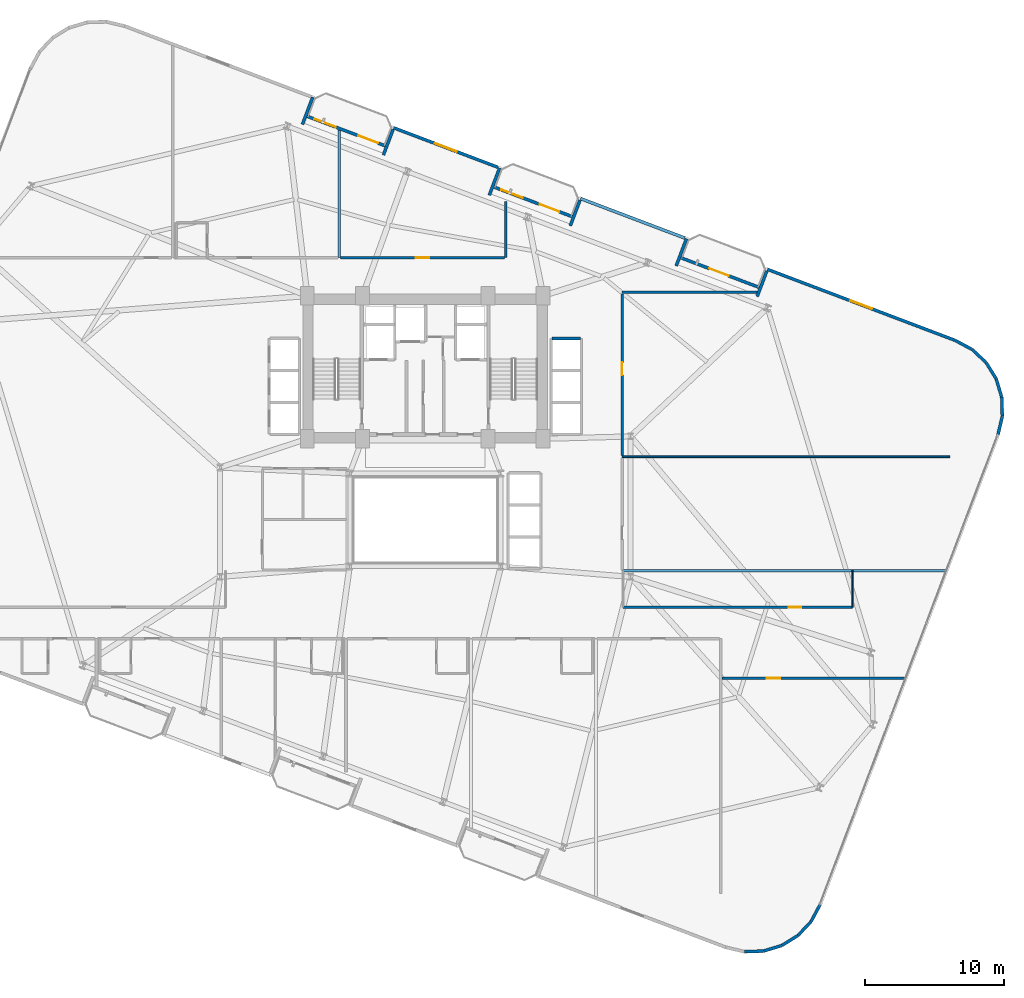
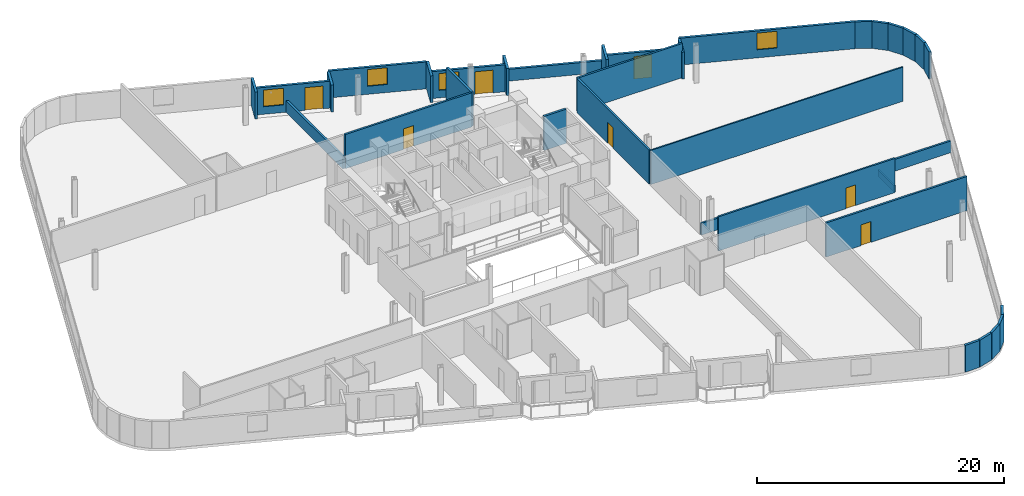
# One storey, part 21 of 25: 34 walls, 7 doors, 4 windows, 11 openings.
"""IFC4 building model written with IfcOpenShell, lengths in metres."""

from ifc_helpers import new_model, si_unit, direction, frame, frame_2d, origin, place, context, subcontext, project, spatial, rectangle, extrude, material, layer, layer_set, type_object, element, fill, save


model = new_model("IFC4")

# Units and contexts
model_context = context("Model", 3, precision=1e-05, world=origin(), true_north=direction((0.0, 1.0)))
body_context = subcontext(model_context, "Body", "Model", "MODEL_VIEW")
ifc_project = project(units=[si_unit("LENGTHUNIT", "METRE"), si_unit("AREAUNIT", "SQUARE_METRE"), si_unit("VOLUMEUNIT", "CUBIC_METRE"), si_unit("PLANEANGLEUNIT", "RADIAN"), si_unit("MASSUNIT", "GRAM", prefix="KILO")], contexts=[model_context])

# Site, building, storey
site_placement = place(None, origin())
site = spatial("IfcSite", under=ifc_project, at=site_placement, CompositionType="ELEMENT")
building_placement = place(site_placement, origin())
building = spatial("IfcBuilding", under=site, at=building_placement, Name="Varnelok Gate Tower", CompositionType="ELEMENT")
storey_placement = place(building_placement, frame((0.0, 0.0, 113.199951171875)))
storey = spatial("IfcBuildingStorey", under=building, at=storey_placement, Name="L28", CompositionType="ELEMENT", Elevation=113.199951171875)

# Wall, openings, door, window
ifc_material_1 = material(Name="Concrete C45/55", Category="concrete")
ifc_layer_1 = layer(ifc_material_1, 0.219970703125)
ifc_layer_set_1 = layer_set([ifc_layer_1], Name="Concrete C45/55")
wall_type_1 = type_object("IfcWallType", Name="EW-BALC-220", PredefinedType="SOLIDWALL", material=ifc_layer_set_1)
wall_1_placement = place(storey_placement, frame((30.69873046875, 51.98876953125, 0.0), z_axis=(0.0, 0.0, 1.0), x_axis=(0.935227640088, -0.354046976001, 0.0)))
wall_1 = element("IfcWall", 1, at=wall_1_placement, inside=storey, type_object=wall_type_1, Name="L28 North Terrace Envelope Wall 4", PredefinedType="SOLIDWALL", context=body_context, shape_type="SweptSolid", body=[
    extrude(rectangle(XDim=6.0, YDim=0.219970703125, at=frame_2d((3.0, 0.0))), origin(), (0.0, 0.0, 1.0), 2.66015625),
])
opening_1_placement = place(wall_1_placement, frame((3.951904296875, 0.0, 0.0)))
opening_1 = element("IfcOpeningElement", 2, at=opening_1_placement, cuts=wall_1, Name="Opening BD-1", PredefinedType="OPENING", context=body_context, shape_type="SweptSolid", body=[
    extrude(rectangle(XDim=1.5, YDim=2.25, at=frame_2d((0.75, 1.125))), frame((0.0, 0.119873046875, 0.0), z_axis=(0.0, -1.0, 0.0), x_axis=(1.0, 0.0, 0.0)), (0.0, 0.0, 1.0), 0.239990234375),
])
opening_2_placement = place(wall_1_placement, frame((0.550048828125, 0.0, 0.75)))
opening_2 = element("IfcOpeningElement", 3, at=opening_2_placement, cuts=wall_1, Name="Opening WN3", PredefinedType="OPENING", context=body_context, shape_type="SweptSolid", body=[
    extrude(rectangle(XDim=1.64990234375, YDim=1.64990234375, at=frame_2d((0.824951171875, 0.824951171875))), frame((0.0, 0.119873046875, 0.0), z_axis=(0.0, -1.0, 0.0), x_axis=(1.0, 0.0, 0.0)), (0.0, 0.0, 1.0), 0.239990234375),
])
ifc_material_2 = material(Name="Anodized Aluminum Alloy 6063-T6", Category="aluminium")
door_type_1 = type_object("IfcDoorType", Name="DR-EXT-BALC1500", OperationType="NOTDEFINED", PredefinedType="DOOR", material=ifc_material_2)
door_1_placement = place(opening_1_placement, origin())
door_1 = element("IfcDoor", 4, at=door_1_placement, inside=storey, type_object=door_type_1, Name="L28 North Balcony Glazed Door 4", OperationType="SINGLE_SWING_LEFT", OverallHeight=2.25, OverallWidth=1.5, PredefinedType="DOOR", context=body_context, shape_type="SweptSolid", body=[
    extrude(rectangle(XDim=1.5, YDim=2.25, at=frame_2d((0.75, 1.125))), frame((0.0, 0.02490234375, 0.0), z_axis=(0.0, -1.0, 0.0), x_axis=(1.0, 0.0, 0.0)), (0.0, 0.0, 1.0), 0.050048828125),
])
fill(opening_1, door_1)
ifc_material_3 = material(Name="Low-E Laminated Double Glazing IGU", Category="glass")
window_type = type_object("IfcWindowType", Name="WN-HTL-1650", PartitioningType="SINGLE_PANEL", PredefinedType="WINDOW", material=ifc_material_3)
window_1_placement = place(opening_2_placement, origin())
window_1 = element("IfcWindow", 5, at=window_1_placement, inside=storey, type_object=window_type, Name="L28 North Vision Window 4.1", OverallHeight=1.64990234375, OverallWidth=1.64990234375, PartitioningType="SINGLE_PANEL", PredefinedType="WINDOW", context=body_context, shape_type="SweptSolid", body=[
    extrude(rectangle(XDim=1.64990234375, YDim=1.64990234375, at=frame_2d((0.824951171875, 0.824951171875))), frame((0.0, 0.030029296875, 0.0), z_axis=(0.0, -1.0, 0.0), x_axis=(1.0, 0.0, 0.0)), (0.0, 0.0, 1.0), 0.06005859375),
])
fill(opening_2, window_1)

wall_2_placement = place(storey_placement, frame((44.166015625, 46.890380859375, 0.0), z_axis=(0.0, 0.0, 1.0), x_axis=(0.93521416643, -0.354082565101, 0.0)))
wall_2 = element("IfcWall", 6, at=wall_2_placement, inside=storey, type_object=wall_type_1, Name="L28 North Terrace Envelope Wall 5", PredefinedType="SOLIDWALL", context=body_context, shape_type="SweptSolid", body=[
    extrude(rectangle(XDim=6.0, YDim=0.219970703125, at=frame_2d((3.0, 0.0))), origin(), (0.0, 0.0, 1.0), 2.66015625),
])
opening_3_placement = place(wall_2_placement, frame((3.508056640625, 0.0, 0.0)))
opening_3 = element("IfcOpeningElement", 7, at=opening_3_placement, cuts=wall_2, Name="Opening BD-1", PredefinedType="OPENING", context=body_context, shape_type="SweptSolid", body=[
    extrude(rectangle(XDim=1.5, YDim=2.25, at=frame_2d((0.75, 1.125))), frame((0.0, 0.119873046875, 0.0), z_axis=(0.0, -1.0, 0.0), x_axis=(1.0, 0.0, 0.0)), (0.0, 0.0, 1.0), 0.239990234375),
])
opening_4_placement = place(wall_2_placement, frame((0.550048828125, 0.0, 0.75)))
opening_4 = element("IfcOpeningElement", 8, at=opening_4_placement, cuts=wall_2, Name="Opening WN3", PredefinedType="OPENING", context=body_context, shape_type="SweptSolid", body=[
    extrude(rectangle(XDim=1.64990234375, YDim=1.64990234375, at=frame_2d((0.824951171875, 0.824951171875))), frame((0.0, 0.119873046875, 0.0), z_axis=(0.0, -1.0, 0.0), x_axis=(1.0, 0.0, 0.0)), (0.0, 0.0, 1.0), 0.239990234375),
])
door_2_placement = place(opening_3_placement, origin())
door_2 = element("IfcDoor", 9, at=door_2_placement, inside=storey, type_object=door_type_1, Name="L28 North Balcony Glazed Door 5", OperationType="SINGLE_SWING_RIGHT", OverallHeight=2.25, OverallWidth=1.5, PredefinedType="DOOR", context=body_context, shape_type="SweptSolid", body=[
    extrude(rectangle(XDim=1.5, YDim=2.25, at=frame_2d((0.75, 1.125))), frame((0.0, 0.02490234375, 0.0), z_axis=(0.0, -1.0, 0.0), x_axis=(1.0, 0.0, 0.0)), (0.0, 0.0, 1.0), 0.050048828125),
])
fill(opening_3, door_2)
window_2_placement = place(opening_4_placement, origin())
window_2 = element("IfcWindow", 10, at=window_2_placement, inside=storey, type_object=window_type, Name="L28 North Vision Window 5.1", OverallHeight=1.64990234375, OverallWidth=1.64990234375, PartitioningType="SINGLE_PANEL", PredefinedType="WINDOW", context=body_context, shape_type="SweptSolid", body=[
    extrude(rectangle(XDim=1.64990234375, YDim=1.64990234375, at=frame_2d((0.824951171875, 0.824951171875))), frame((0.0, 0.030029296875, 0.0), z_axis=(0.0, -1.0, 0.0), x_axis=(1.0, 0.0, 0.0)), (0.0, 0.0, 1.0), 0.06005859375),
])
fill(opening_4, window_2)

# Wall, opening, door
wall_3_placement = place(storey_placement, frame((57.63330078125, 41.791748046875, 0.0), z_axis=(0.0, 0.0, 1.0), x_axis=(0.935222539288, -0.354060449652, 0.0)))
wall_3 = element("IfcWall", 11, at=wall_3_placement, inside=storey, type_object=wall_type_1, Name="L28 North Terrace Envelope Wall 6", PredefinedType="SOLIDWALL", context=body_context, shape_type="SweptSolid", body=[
    extrude(rectangle(XDim=5.999755859375, YDim=0.219970703125, at=frame_2d((3.0, 0.0))), origin(), (0.0, 0.0, 1.0), 2.66015625),
])
opening_5_placement = place(wall_3_placement, frame((2.176025390625, 0.0, 0.0)))
opening_5 = element("IfcOpeningElement", 12, at=opening_5_placement, cuts=wall_3, Name="Opening BD-1", PredefinedType="OPENING", context=body_context, shape_type="SweptSolid", body=[
    extrude(rectangle(XDim=1.5, YDim=2.25, at=frame_2d((0.75, 1.125))), frame((0.0, 0.119873046875, 0.0), z_axis=(0.0, -1.0, 0.0), x_axis=(1.0, 0.0, 0.0)), (0.0, 0.0, 1.0), 0.239990234375),
])
door_3_placement = place(opening_5_placement, origin())
door_3 = element("IfcDoor", 13, at=door_3_placement, inside=storey, type_object=door_type_1, Name="L28 North Balcony Glazed Door 6", OperationType="SINGLE_SWING_LEFT", OverallHeight=2.25, OverallWidth=1.5, PredefinedType="DOOR", context=body_context, shape_type="SweptSolid", body=[
    extrude(rectangle(XDim=1.5, YDim=2.25, at=frame_2d((0.75, 1.125))), frame((0.0, 0.02490234375, 0.0), z_axis=(0.0, -1.0, 0.0), x_axis=(1.0, 0.0, 0.0)), (0.0, 0.0, 1.0), 0.050048828125),
])
fill(opening_5, door_3)

# Walls
wall_4_placement = place(storey_placement, frame((62.2158203125, -8.209228515625, 0.0), z_axis=(0.0, 0.0, 1.0), x_axis=(0.999523971993, 0.03085173271, 0.0)))
element("IfcWall", 14, at=wall_4_placement, inside=storey, type_object=wall_type_1, Name="L28 Perimeter Facade Closure Wall 18", PredefinedType="SOLIDWALL", context=body_context, shape_type="SweptSolid", body=[
    extrude(rectangle(XDim=1.353271484375, YDim=0.219970703125, at=frame_2d((0.6767578125, 0.0))), origin(), (0.0, 0.0, 1.0), 2.66015625),
])
for number, where, z_axis, x_axis, name in (
    (15, (63.59228515625, -8.160400390625, 0.0), (0.0, 0.0, 1.0), (0.957532798303, 0.28832436625, 0.0), "L28 Perimeter Facade Closure Wall 19"),
    (16, (64.9091796875, -7.757080078125, 0.0), (0.0, 0.0, 1.0), (0.850180541217, 0.526491260456, 0.0), "L28 Perimeter Facade Closure Wall 20"),
):
    element("IfcWall", number, at=place(storey_placement, frame(where, z_axis=z_axis, x_axis=x_axis)), inside=storey, type_object=wall_type_1, Name=name, PredefinedType="SOLIDWALL", context=body_context, shape_type="SweptSolid", body=[
        extrude(rectangle(XDim=1.35302734375, YDim=0.219970703125, at=frame_2d((0.676513671875, 0.0))), origin(), (0.0, 0.0, 1.0), 2.66015625),
    ])
wall_5_placement = place(storey_placement, frame((66.07666015625, -7.026611328125, 0.0), z_axis=(0.0, 0.0, 1.0), x_axis=(0.685032599484, 0.7285124142, 0.0)))
element("IfcWall", 17, at=wall_5_placement, inside=storey, type_object=wall_type_1, Name="L28 Perimeter Facade Closure Wall 21", PredefinedType="SOLIDWALL", context=body_context, shape_type="SweptSolid", body=[
    extrude(rectangle(XDim=1.353271484375, YDim=0.219970703125, at=frame_2d((0.6767578125, 0.0))), origin(), (0.0, 0.0, 1.0), 2.66015625),
])
wall_6_placement = place(storey_placement, frame((67.015380859375, -6.018798828125, 0.0), z_axis=(0.0, 0.0, 1.0), x_axis=(0.473077364598, 0.881020889142, 0.0)))
element("IfcWall", 18, at=wall_6_placement, inside=storey, type_object=wall_type_1, Name="L28 Perimeter Facade Closure Wall 22", PredefinedType="SOLIDWALL", context=body_context, shape_type="SweptSolid", body=[
    extrude(rectangle(XDim=1.35302734375, YDim=0.219970703125, at=frame_2d((0.676513671875, 0.0))), origin(), (0.0, 0.0, 1.0), 2.66015625),
])
wall_7_placement = place(storey_placement, frame((80.47265625, 29.0283203125, 0.0), z_axis=(0.0, 0.0, 1.0), x_axis=(0.228881345311, 0.973454328548, 0.0)))
element("IfcWall", 19, at=wall_7_placement, inside=storey, type_object=wall_type_1, Name="L28 Perimeter Facade Closure Wall 23", PredefinedType="SOLIDWALL", context=body_context, shape_type="SweptSolid", body=[
    extrude(rectangle(XDim=1.378173828125, YDim=0.219970703125, at=frame_2d((0.68896484375, 0.0))), origin(), (0.0, 0.0, 1.0), 2.66015625),
])
for number, where, z_axis, x_axis, name in (
    (20, (80.787353515625, 30.39501953125, 0.0), (0.0, 0.0, 1.0), (-0.030857297317, 0.999523800218, 0.0), "L28 Perimeter Facade Closure Wall 24"),
    (21, (80.738525390625, 31.771240234375, 0.0), (0.0, 0.0, 1.0), (-0.28832436625, 0.957532798303, 0.0), "L28 Perimeter Facade Closure Wall 25"),
    (22, (80.335205078125, 33.088134765625, 0.0), (0.0, 0.0, 1.0), (-0.526491260456, 0.850180541217, 0.0), "L28 Perimeter Facade Closure Wall 26"),
    (23, (79.6044921875, 34.255615234375, 0.0), (0.0, 0.0, 1.0), (-0.72842773461, 0.685122642634, 0.0), "L28 Perimeter Facade Closure Wall 27"),
):
    element("IfcWall", number, at=place(storey_placement, frame(where, z_axis=z_axis, x_axis=x_axis)), inside=storey, type_object=wall_type_1, Name=name, PredefinedType="SOLIDWALL", context=body_context, shape_type="SweptSolid", body=[
        extrude(rectangle(XDim=1.35302734375, YDim=0.219970703125, at=frame_2d((0.676513671875, 0.0))), origin(), (0.0, 0.0, 1.0), 2.66015625),
    ])
wall_8_placement = place(storey_placement, frame((78.5966796875, 35.1943359375, 0.0), z_axis=(0.0, 0.0, 1.0), x_axis=(-0.880948732004, 0.473211719614, 0.0)))
element("IfcWall", 24, at=wall_8_placement, inside=storey, type_object=wall_type_1, Name="L28 Perimeter Facade Closure Wall 28", PredefinedType="SOLIDWALL", context=body_context, shape_type="SweptSolid", body=[
    extrude(rectangle(XDim=1.361083984375, YDim=0.219970703125, at=frame_2d((0.6806640625, 0.0))), origin(), (0.0, 0.0, 1.0), 2.66015625),
])

# Wall, opening, window
wall_9_placement = place(storey_placement, frame((77.37451171875, 35.84716796875, 0.0), z_axis=(0.0, 0.0, 1.0), x_axis=(-0.935222448475, 0.354060689526, 0.0)))
wall_9 = element("IfcWall", 25, at=wall_9_placement, inside=storey, type_object=wall_type_1, Name="L28 Perimeter Facade Closure Wall 29", PredefinedType="SOLIDWALL", context=body_context, shape_type="SweptSolid", body=[
    extrude(rectangle(XDim=14.447265625, YDim=0.219970703125, at=frame_2d((7.2236328125, 0.0))), origin(), (0.0, 0.0, 1.0), 2.66015625),
])
opening_6_placement = place(wall_9_placement, frame((6.398681640625, 0.0, 0.800048828125)))
opening_6 = element("IfcOpeningElement", 26, at=opening_6_placement, cuts=wall_9, Name="Opening WN3", PredefinedType="OPENING", context=body_context, shape_type="SweptSolid", body=[
    extrude(rectangle(XDim=1.64990234375, YDim=1.64990234375, at=frame_2d((0.824951171875, 0.824951171875))), frame((0.0, 0.119873046875, 0.0), z_axis=(0.0, -1.0, 0.0), x_axis=(1.0, 0.0, 0.0)), (0.0, 0.0, 1.0), 0.239990234375),
])
window_3_placement = place(opening_6_placement, origin())
window_3 = element("IfcWindow", 27, at=window_3_placement, inside=storey, type_object=window_type, Name="L28 Perimeter Vision Window 29", OverallHeight=1.64990234375, OverallWidth=1.64990234375, PartitioningType="SINGLE_PANEL", PredefinedType="WINDOW", context=body_context, shape_type="SweptSolid", body=[
    extrude(rectangle(XDim=1.64990234375, YDim=1.64990234375, at=frame_2d((0.824951171875, 0.824951171875))), frame((0.0, 0.030029296875, 0.0), z_axis=(0.0, -1.0, 0.0), x_axis=(1.0, 0.0, 0.0)), (0.0, 0.0, 1.0), 0.06005859375),
])
fill(opening_6, window_3)

# Walls
wall_10_placement = place(storey_placement, frame((63.81884765625, 40.845458984375, 0.0), z_axis=(0.0, 0.0, 1.0), x_axis=(-0.354128791944, -0.935196663123, 0.0)))
element("IfcWall", 28, at=wall_10_placement, inside=storey, type_object=wall_type_1, Name="L28 Perimeter Facade Closure Wall 30", PredefinedType="SOLIDWALL", context=body_context, shape_type="SweptSolid", body=[
    extrude(rectangle(XDim=1.97509765625, YDim=0.219970703125, at=frame_2d((0.987548828125, 0.0))), origin(), (0.0, 0.0, 1.0), 2.66015625),
])
wall_11_placement = place(storey_placement, frame((57.28369140625, 41.207763671875, 0.0), z_axis=(0.0, 0.0, 1.0), x_axis=(0.354128469405, 0.935196785258, 0.0)))
element("IfcWall", 29, at=wall_11_placement, inside=storey, type_object=wall_type_1, Name="L28 Perimeter Facade Closure Wall 31", PredefinedType="SOLIDWALL", context=body_context, shape_type="SweptSolid", body=[
    extrude(rectangle(XDim=2.099853515625, YDim=0.219970703125, at=frame_2d((1.0498046875, 0.0))), origin(), (0.0, 0.0, 1.0), 2.66015625),
])
wall_12_placement = place(storey_placement, frame((57.910400390625, 43.2158203125, 0.0), z_axis=(0.0, 0.0, 1.0), x_axis=(-0.935220736163, 0.354065212427, 0.0)))
element("IfcWall", 30, at=wall_12_placement, inside=storey, type_object=wall_type_1, Name="L28 Perimeter Facade Closure Wall 32", PredefinedType="SOLIDWALL", context=body_context, shape_type="SweptSolid", body=[
    extrude(rectangle(XDim=8.03515625, YDim=0.219970703125, at=frame_2d((4.017578125, 0.0))), origin(), (0.0, 0.0, 1.0), 1.1650390625),
])
wall_13_placement = place(storey_placement, frame((50.3515625, 45.94384765625, 0.0), z_axis=(0.0, 0.0, 1.0), x_axis=(-0.354061611705, -0.935222099352, 0.0)))
element("IfcWall", 31, at=wall_13_placement, inside=storey, type_object=wall_type_1, Name="L28 Perimeter Facade Closure Wall 33", PredefinedType="SOLIDWALL", context=body_context, shape_type="SweptSolid", body=[
    extrude(rectangle(XDim=1.974853515625, YDim=0.219970703125, at=frame_2d((0.9873046875, 0.0))), origin(), (0.0, 0.0, 1.0), 2.66015625),
])
wall_14_placement = place(storey_placement, frame((43.816650390625, 46.30615234375, 0.0), z_axis=(0.0, 0.0, 1.0), x_axis=(0.353988291547, 0.935249854022, 0.0)))
element("IfcWall", 32, at=wall_14_placement, inside=storey, type_object=wall_type_1, Name="L28 Perimeter Facade Closure Wall 34", PredefinedType="SOLIDWALL", context=body_context, shape_type="SweptSolid", body=[
    extrude(rectangle(XDim=2.10009765625, YDim=0.219970703125, at=frame_2d((1.050048828125, 0.0))), origin(), (0.0, 0.0, 1.0), 2.66015625),
])

# Wall, opening, window
wall_15_placement = place(storey_placement, frame((44.443115234375, 48.314453125, 0.0), z_axis=(0.0, 0.0, 1.0), x_axis=(-0.935226988293, 0.354048697735, 0.0)))
wall_15 = element("IfcWall", 33, at=wall_15_placement, inside=storey, type_object=wall_type_1, Name="L28 Perimeter Facade Closure Wall 35", PredefinedType="SOLIDWALL", context=body_context, shape_type="SweptSolid", body=[
    extrude(rectangle(XDim=8.034912109375, YDim=0.219970703125, at=frame_2d((4.017578125, 0.0))), origin(), (0.0, 0.0, 1.0), 2.66015625),
])
opening_7_placement = place(wall_15_placement, frame((3.1923828125, 0.0, 0.800048828125)))
opening_7 = element("IfcOpeningElement", 34, at=opening_7_placement, cuts=wall_15, Name="Opening WN3", PredefinedType="OPENING", context=body_context, shape_type="SweptSolid", body=[
    extrude(rectangle(XDim=1.64990234375, YDim=1.64990234375, at=frame_2d((0.824951171875, 0.824951171875))), frame((0.0, 0.119873046875, 0.0), z_axis=(0.0, -1.0, 0.0), x_axis=(1.0, 0.0, 0.0)), (0.0, 0.0, 1.0), 0.239990234375),
])
window_4_placement = place(opening_7_placement, origin())
window_4 = element("IfcWindow", 35, at=window_4_placement, inside=storey, type_object=window_type, Name="L28 Perimeter Vision Window 35", OverallHeight=1.64990234375, OverallWidth=1.64990234375, PartitioningType="SINGLE_PANEL", PredefinedType="WINDOW", context=body_context, shape_type="SweptSolid", body=[
    extrude(rectangle(XDim=1.64990234375, YDim=1.64990234375, at=frame_2d((0.824951171875, 0.824951171875))), frame((0.0, 0.030029296875, 0.0), z_axis=(0.0, -1.0, 0.0), x_axis=(1.0, 0.0, 0.0)), (0.0, 0.0, 1.0), 0.06005859375),
])
fill(opening_7, window_4)

# Walls
wall_16_placement = place(storey_placement, frame((36.884521484375, 51.04248046875, 0.0), z_axis=(0.0, 0.0, 1.0), x_axis=(-0.354128791944, -0.935196663123, 0.0)))
element("IfcWall", 36, at=wall_16_placement, inside=storey, type_object=wall_type_1, Name="L28 Perimeter Facade Closure Wall 36", PredefinedType="SOLIDWALL", context=body_context, shape_type="SweptSolid", body=[
    extrude(rectangle(XDim=1.97509765625, YDim=0.219970703125, at=frame_2d((0.987548828125, 0.0))), origin(), (0.0, 0.0, 1.0), 2.66015625),
])
wall_17_placement = place(storey_placement, frame((30.349365234375, 51.40478515625, 0.0), z_axis=(0.0, 0.0, 1.0), x_axis=(0.354128469405, 0.935196785258, 0.0)))
element("IfcWall", 37, at=wall_17_placement, inside=storey, type_object=wall_type_1, Name="L28 Perimeter Facade Closure Wall 37", PredefinedType="SOLIDWALL", context=body_context, shape_type="SweptSolid", body=[
    extrude(rectangle(XDim=2.099853515625, YDim=0.219970703125, at=frame_2d((1.0498046875, 0.0))), origin(), (0.0, 0.0, 1.0), 2.66015625),
])

# Wall, opening, door
ifc_material_4 = material(Name="Gypsum Plasterboard Acoustic Partition", Category="gypsum")
ifc_layer_2 = layer(ifc_material_4, 0.179931640625)
ifc_layer_set_2 = layer_set([ifc_layer_2], Name="Gypsum Plasterboard Acoustic Partition")
wall_type_2 = type_object("IfcWallType", Name="PW-CORR-180", PredefinedType="PARTITIONING", material=ifc_layer_set_2)
wall_18_placement = place(storey_placement, frame((60.580078125, 11.5, 0.0), z_axis=(0.0, 0.0, 1.0), x_axis=(1.0, 0.0, 0.0)))
wall_18 = element("IfcWall", 38, at=wall_18_placement, inside=storey, type_object=wall_type_2, Name="Interior Partition", PredefinedType="PARTITIONING", context=body_context, shape_type="SweptSolid", body=[
    extrude(rectangle(XDim=13.1962890625, YDim=0.179931640625, at=frame_2d((6.59814453125, 0.0))), origin(), (0.0, 0.0, 1.0), 3.380126953125),
])
opening_8_placement = place(wall_18_placement, frame((3.2451171875, 0.0, 0.0)))
opening_8 = element("IfcOpeningElement", 39, at=opening_8_placement, cuts=wall_18, Name="Opening D-I2", PredefinedType="OPENING", context=body_context, shape_type="SweptSolid", body=[
    extrude(rectangle(XDim=0.949951171875, YDim=2.050048828125, at=frame_2d((0.47509765625, 1.02490234375))), frame((0.0, 0.099853515625, 0.0), z_axis=(0.0, -1.0, 0.0), x_axis=(1.0, 0.0, 0.0)), (0.0, 0.0, 1.0), 0.199951171875),
])
ifc_material_5 = material(Name="Engineered Hardwood Timber", Category="wood")
door_type_2 = type_object("IfcDoorType", Name="DR-INT-950", OperationType="NOTDEFINED", PredefinedType="DOOR", material=ifc_material_5)
door_4_placement = place(opening_8_placement, origin())
door_4 = element("IfcDoor", 40, at=door_4_placement, inside=storey, type_object=door_type_2, Name="L28 Wellness Spa Lounge Door", OperationType="SINGLE_SWING_LEFT", OverallHeight=2.050048828125, OverallWidth=0.949951171875, PredefinedType="DOOR", context=body_context, shape_type="SweptSolid", body=[
    extrude(rectangle(XDim=0.949951171875, YDim=2.050048828125, at=frame_2d((0.47509765625, 1.02490234375))), frame((0.0, 0.02490234375, 0.0), z_axis=(0.0, -1.0, 0.0), x_axis=(1.0, 0.0, 0.0)), (0.0, 0.0, 1.0), 0.050048828125),
])
fill(opening_8, door_4)

wall_19_placement = place(storey_placement, frame((33.080078125, 41.800048828125, 0.0), z_axis=(0.0, 0.0, 1.0), x_axis=(1.0, 0.0, 0.0)))
wall_19 = element("IfcWall", 41, at=wall_19_placement, inside=storey, type_object=wall_type_2, Name="Interior Partition", PredefinedType="PARTITIONING", context=body_context, shape_type="SweptSolid", body=[
    extrude(rectangle(XDim=11.83984375, YDim=0.179931640625, at=frame_2d((5.919921875, 0.0))), origin(), (0.0, 0.0, 1.0), 3.380126953125),
])
opening_9_placement = place(wall_19_placement, frame((5.445068359375, 0.0, 0.0)))
opening_9 = element("IfcOpeningElement", 42, at=opening_9_placement, cuts=wall_19, Name="Opening D-I2", PredefinedType="OPENING", context=body_context, shape_type="SweptSolid", body=[
    extrude(rectangle(XDim=0.949951171875, YDim=2.050048828125, at=frame_2d((0.47509765625, 1.02490234375))), frame((0.0, 0.099853515625, 0.0), z_axis=(0.0, -1.0, 0.0), x_axis=(1.0, 0.0, 0.0)), (0.0, 0.0, 1.0), 0.199951171875),
])
door_5_placement = place(opening_9_placement, origin())
door_5 = element("IfcDoor", 43, at=door_5_placement, inside=storey, type_object=door_type_2, Name="L28 Sky Library Door", OperationType="SINGLE_SWING_LEFT", OverallHeight=2.050048828125, OverallWidth=0.949951171875, PredefinedType="DOOR", context=body_context, shape_type="SweptSolid", body=[
    extrude(rectangle(XDim=0.949951171875, YDim=2.050048828125, at=frame_2d((0.47509765625, 1.02490234375))), frame((0.0, 0.02490234375, 0.0), z_axis=(0.0, -1.0, 0.0), x_axis=(1.0, 0.0, 0.0)), (0.0, 0.0, 1.0), 0.050048828125),
])
fill(opening_9, door_5)

wall_20_placement = place(storey_placement, frame((53.389892578125, 27.530029296875, 0.0), z_axis=(0.0, 0.0, 1.0), x_axis=(0.0, 1.0, 0.0)))
wall_20 = element("IfcWall", 44, at=wall_20_placement, inside=storey, type_object=wall_type_2, Name="Interior Partition", PredefinedType="PARTITIONING", context=body_context, shape_type="SweptSolid", body=[
    extrude(rectangle(XDim=11.669921875, YDim=0.179931640625, at=frame_2d((5.8349609375, 0.0))), origin(), (0.0, 0.0, 1.0), 3.380126953125),
])
opening_10_placement = place(wall_20_placement, frame((5.800048828125, 0.0, 0.0)))
opening_10 = element("IfcOpeningElement", 45, at=opening_10_placement, cuts=wall_20, Name="Opening D-I3", PredefinedType="OPENING", context=body_context, shape_type="SweptSolid", body=[
    extrude(rectangle(XDim=0.919921875, YDim=2.050048828125, at=frame_2d((0.4599609375, 1.02490234375))), frame((0.0, 0.099853515625, 0.0), z_axis=(0.0, -1.0, 0.0), x_axis=(1.0, 0.0, 0.0)), (0.0, 0.0, 1.0), 0.199951171875),
])
door_type_3 = type_object("IfcDoorType", Name="DR-INT-920", OperationType="NOTDEFINED", PredefinedType="DOOR", material=ifc_material_5)
door_6_placement = place(opening_10_placement, origin())
door_6 = element("IfcDoor", 46, at=door_6_placement, inside=storey, type_object=door_type_3, Name="L28 East Suite 2 Door", OperationType="SINGLE_SWING_RIGHT", OverallHeight=2.050048828125, OverallWidth=0.919921875, PredefinedType="DOOR", context=body_context, shape_type="SweptSolid", body=[
    extrude(rectangle(XDim=0.919921875, YDim=2.050048828125, at=frame_2d((0.4599609375, 1.02490234375))), frame((0.0, 0.02490234375, 0.0), z_axis=(0.0, -1.0, 0.0), x_axis=(1.0, 0.0, 0.0)), (0.0, 0.0, 1.0), 0.050048828125),
])
fill(opening_10, door_6)

# Walls
wall_21_placement = place(storey_placement, frame((53.389892578125, 19.239990234375, 0.0), z_axis=(0.0, 0.0, 1.0), x_axis=(1.0, 0.0, 0.0)))
element("IfcWall", 47, at=wall_21_placement, inside=storey, type_object=wall_type_2, Name="Interior Partition", PredefinedType="PARTITIONING", context=body_context, shape_type="SweptSolid", body=[
    extrude(rectangle(XDim=23.316650390625, YDim=0.179931640625, at=frame_2d((11.658203125, 0.0))), origin(), (0.0, 0.0, 1.0), 1.1650390625),
])
wall_22_placement = place(storey_placement, frame((53.389892578125, 39.300048828125, 0.0), z_axis=(0.0, 0.0, 1.0), x_axis=(1.0, 0.0, 0.0)))
element("IfcWall", 48, at=wall_22_placement, inside=storey, type_object=wall_type_2, Name="Interior Partition", PredefinedType="PARTITIONING", context=body_context, shape_type="SweptSolid", body=[
    extrude(rectangle(XDim=9.8037109375, YDim=0.179931640625, at=frame_2d((4.90185546875, 0.0))), origin(), (0.0, 0.0, 1.0), 3.380126953125),
])
ifc_layer_3 = layer(ifc_material_4, 0.125)
ifc_layer_set_3 = layer_set([ifc_layer_3], Name="Gypsum Plasterboard Acoustic Partition")
wall_type_3 = type_object("IfcWallType", Name="PW-PART-125", PredefinedType="PARTITIONING", material=ifc_layer_set_3)
wall_23_placement = place(storey_placement, frame((70.0, 16.610107421875, 0.0), z_axis=(0.0, 0.0, 1.0), x_axis=(0.0, 1.0, 0.0)))
element("IfcWall", 49, at=wall_23_placement, inside=storey, type_object=wall_type_3, Name="Interior Partition", PredefinedType="PARTITIONING", context=body_context, shape_type="SweptSolid", body=[
    extrude(rectangle(XDim=2.6298828125, YDim=0.125, at=frame_2d((1.31494140625, 0.0))), origin(), (0.0, 0.0, 1.0), 0.650146484375),
])
wall_24_placement = place(storey_placement, frame((53.389892578125, 27.449951171875, 0.0), z_axis=(0.0, 0.0, 1.0), x_axis=(1.0, 0.0, 0.0)))
element("IfcWall", 50, at=wall_24_placement, inside=storey, type_object=wall_type_3, Name="Interior Partition", PredefinedType="PARTITIONING", context=body_context, shape_type="SweptSolid", body=[
    extrude(rectangle(XDim=23.610107421875, YDim=0.125, at=frame_2d((11.80517578125, 0.0))), origin(), (0.0, 0.0, 1.0), 3.380126953125),
])

# Wall, opening, door
ifc_layer_4 = layer(ifc_material_4, 0.14990234375)
ifc_layer_set_4 = layer_set([ifc_layer_4], Name="Gypsum Plasterboard Acoustic Partition")
wall_type_4 = type_object("IfcWallType", Name="PW-PART-150", PredefinedType="PARTITIONING", material=ifc_layer_set_4)
wall_25_placement = place(storey_placement, frame((53.449951171875, 16.610107421875, 0.0), z_axis=(0.0, 0.0, 1.0), x_axis=(1.0, 0.0, 0.0)))
wall_25 = element("IfcWall", 51, at=wall_25_placement, inside=storey, type_object=wall_type_4, Name="Interior Partition", PredefinedType="PARTITIONING", context=body_context, shape_type="SweptSolid", body=[
    extrude(rectangle(XDim=16.550048828125, YDim=0.14990234375, at=frame_2d((8.27490234375, 0.0))), origin(), (0.0, 0.0, 1.0), 3.380126953125),
])
opening_11_placement = place(wall_25_placement, frame((11.930908203125, 0.0, 0.0)))
opening_11 = element("IfcOpeningElement", 52, at=opening_11_placement, cuts=wall_25, Name="Opening D-I3", PredefinedType="OPENING", context=body_context, shape_type="SweptSolid", body=[
    extrude(rectangle(XDim=0.919921875, YDim=2.050048828125, at=frame_2d((0.4599609375, 1.02490234375))), frame((0.0, 0.0849609375, 0.0), z_axis=(0.0, -1.0, 0.0), x_axis=(1.0, 0.0, 0.0)), (0.0, 0.0, 1.0), 0.169921875),
])
door_7_placement = place(opening_11_placement, origin())
door_7 = element("IfcDoor", 53, at=door_7_placement, inside=storey, type_object=door_type_3, Name="L28 Atrium Room 2 Door", OperationType="SINGLE_SWING_LEFT", OverallHeight=2.050048828125, OverallWidth=0.919921875, PredefinedType="DOOR", context=body_context, shape_type="SweptSolid", body=[
    extrude(rectangle(XDim=0.919921875, YDim=2.050048828125, at=frame_2d((0.4599609375, 1.02490234375))), frame((0.0, 0.02490234375, 0.0), z_axis=(0.0, -1.0, 0.0), x_axis=(1.0, 0.0, 0.0)), (0.0, 0.0, 1.0), 0.050048828125),
])
fill(opening_11, door_7)

# Walls
ifc_layer_5 = layer(ifc_material_4, 0.205078125)
ifc_layer_set_5 = layer_set([ifc_layer_5], Name="Gypsum Plasterboard Acoustic Partition")
wall_type_5 = type_object("IfcWallType", Name="PW-PARTY-200", PredefinedType="PARTITIONING", material=ifc_layer_set_5)
wall_26_placement = place(storey_placement, frame((33.0, 41.800048828125, 0.0), z_axis=(0.0, 0.0, 1.0), x_axis=(0.0, 1.0, 0.0)))
element("IfcWall", 54, at=wall_26_placement, inside=storey, type_object=wall_type_5, Name="L28 North Party Wall 2", PredefinedType="PARTITIONING", context=body_context, shape_type="SweptSolid", body=[
    extrude(rectangle(XDim=9.212646484375, YDim=0.205078125, at=frame_2d((4.6064453125, 0.0))), origin(), (0.0, 0.0, 1.0), 1.1650390625),
])
wall_27_placement = place(storey_placement, frame((45.0, 41.800048828125, 0.0), z_axis=(0.0, 0.0, 1.0), x_axis=(0.0, 1.0, 0.0)))
element("IfcWall", 55, at=wall_27_placement, inside=storey, type_object=wall_type_5, Name="L28 North Party Wall 3", PredefinedType="PARTITIONING", context=body_context, shape_type="SweptSolid", body=[
    extrude(rectangle(XDim=4.036865234375, YDim=0.205078125, at=frame_2d((2.0185546875, 0.0))), origin(), (0.0, 0.0, 1.0), 3.380126953125),
])
ifc_material_6 = material(Name="Concrete C35/45", Category="concrete")
ifc_layer_6 = layer(ifc_material_6, 0.199951171875)
ifc_layer_set_6 = layer_set([ifc_layer_6], Name="Concrete C35/45")
wall_type_6 = type_object("IfcWallType", Name="PW-SHAFT-200", PredefinedType="PARTITIONING", material=ifc_layer_set_6)
wall_28_placement = place(storey_placement, frame((48.320068359375, 35.969970703125, 0.0), z_axis=(0.0, 0.0, 1.0), x_axis=(1.0, 0.0, 0.0)))
element("IfcWall", 56, at=wall_28_placement, inside=storey, type_object=wall_type_6, Name="L28 PM Bank North Wall", PredefinedType="PARTITIONING", context=body_context, shape_type="SweptSolid", body=[
    extrude(rectangle(XDim=2.059814453125, YDim=0.199951171875, at=frame_2d((1.02978515625, 0.0))), origin(), (0.0, 0.0, 1.0), 3.380126953125),
])

save(model, "model.ifc")
